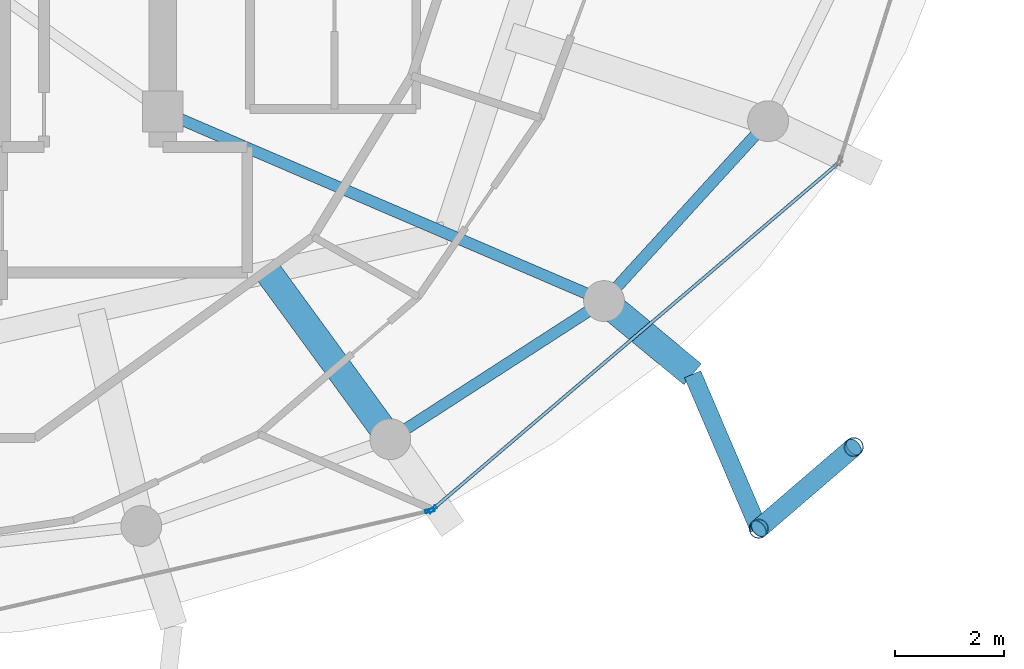
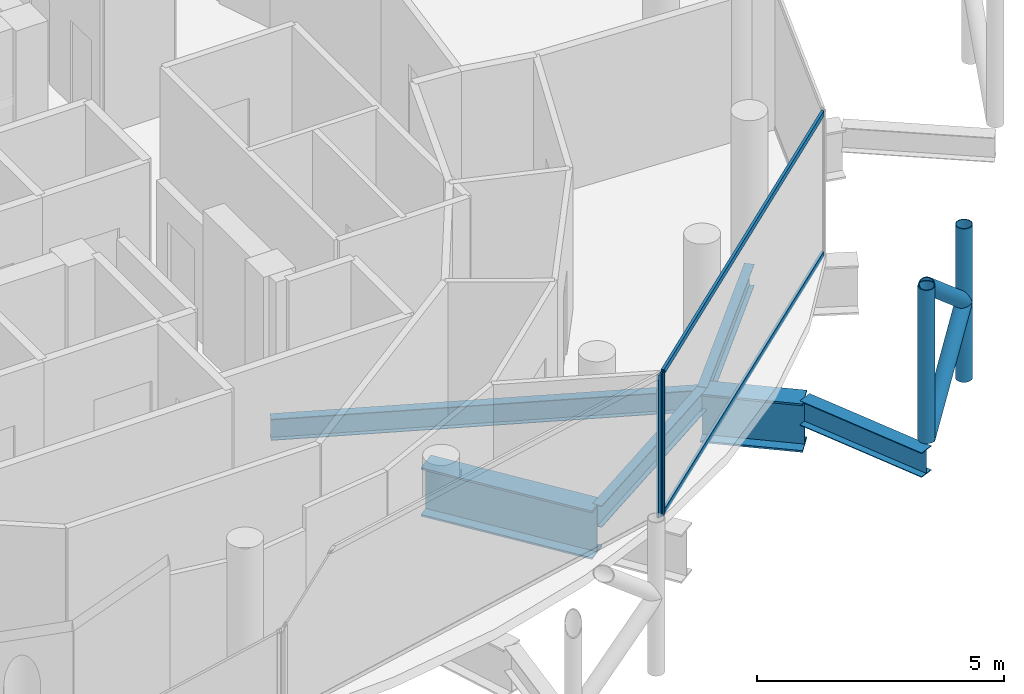
# One storey, part 10 of 25: 8 members, 6 beams, 2 elements without a shape of their own.
"""IFC4 building model written with IfcOpenShell, lengths in metres."""

from ifc_helpers import new_model, si_unit, direction, frame, origin, origin_2d, place, context, subcontext, project, spatial, hollow_rectangle, hollow_circle, i_section, extrude, material, layer, layer_set, material_profile, profile_set, type_object, element, aggregate, save


model = new_model("IFC4")

# Units and contexts
model_context = context("Model", 3, precision=1e-05, world=origin(), true_north=direction((0.0, 1.0)))
body_context = subcontext(model_context, "Body", "Model", "MODEL_VIEW")
ifc_project = project(units=[si_unit("LENGTHUNIT", "METRE"), si_unit("AREAUNIT", "SQUARE_METRE"), si_unit("VOLUMEUNIT", "CUBIC_METRE"), si_unit("PLANEANGLEUNIT", "RADIAN"), si_unit("MASSUNIT", "GRAM", prefix="KILO")], contexts=[model_context])

# Site, building, storey
site_placement = place(None, origin())
site = spatial("IfcSite", under=ifc_project, at=site_placement, CompositionType="ELEMENT")
building_placement = place(site_placement, origin())
building = spatial("IfcBuilding", under=site, at=building_placement, Name="Nuhasar Tower", CompositionType="ELEMENT")
storey_placement = place(building_placement, frame((0.0, 0.0, 255.60009765625)))
storey = spatial("IfcBuildingStorey", under=building, at=storey_placement, Name="L63", CompositionType="ELEMENT", Elevation=255.60009765625)

# Beams
ifc_material_1 = material(Name="Steel S355", Category="steel")
ifc_material_profile_1 = material_profile(ifc_material_1, i_section(OverallWidth=0.208984375, OverallDepth=0.528076171875, WebThickness=0.009521484375, FlangeThickness=0.01318359375, at=origin_2d()), Name="W21X55")
ifc_profile_set_1 = profile_set([ifc_material_profile_1], Name="Steel S355")
beam_type_1 = type_object("IfcBeamType", Name="BM-RAD-W21X55", PredefinedType="BEAM", material=ifc_profile_set_1)
beam_1_placement = place(storey_placement, frame((44.300048828125, 19.0, -0.524169921875), z_axis=(0.91887119061, -0.394557644797, 0.0), x_axis=(0.394557644797, 0.91887119061, 0.0)))
element("IfcBeam", 1, at=beam_1_placement, inside=storey, type_object=beam_type_1, Name="L63 Radial Floor Girder 03", PredefinedType="BEAM", context=body_context, shape_type="SweptSolid", body=[
    extrude(i_section(OverallWidth=0.208984375, OverallDepth=0.528076171875, WebThickness=0.009521484375, FlangeThickness=0.01318359375, at=origin_2d()), origin(), (0.0, 0.0, 1.0), 8.81494140625),
])
ifc_material_profile_2 = material_profile(ifc_material_1, i_section(OverallWidth=0.2099609375, OverallDepth=0.537109375, WebThickness=0.010986328125, FlangeThickness=0.017333984375, at=origin_2d()), Name="W21X68")
ifc_profile_set_2 = profile_set([ifc_material_profile_2], Name="Steel S355")
beam_type_2 = type_object("IfcBeamType", Name="BM-RING-W21X68", PredefinedType="SPANDREL", material=ifc_profile_set_2)
beam_2_placement = place(storey_placement, frame((48.47509765625, 12.987060546875, -0.528076171875), z_axis=(0.840025485934, 0.542546940809, 0.0), x_axis=(-0.542546940809, 0.840025485934, 0.0)))
element("IfcBeam", 2, at=beam_2_placement, inside=storey, type_object=beam_type_2, Name="L63 Perimeter Ring Spandrel 21", PredefinedType="SPANDREL", context=body_context, shape_type="SweptSolid", body=[
    extrude(i_section(OverallWidth=0.2099609375, OverallDepth=0.537109375, WebThickness=0.010986328125, FlangeThickness=0.017333984375, at=origin_2d()), origin(), (0.0, 0.0, 1.0), 4.67236328125),
])
beam_3_placement = place(storey_placement, frame((52.39990234375, 15.52197265625, -0.528076171875), z_axis=(0.673686302939, 0.739017432293, 0.0), x_axis=(-0.739017432293, 0.673686302939, 0.0)))
element("IfcBeam", 3, at=beam_3_placement, inside=storey, type_object=beam_type_2, Name="L63 Perimeter Ring Spandrel 22", PredefinedType="SPANDREL", context=body_context, shape_type="SweptSolid", body=[
    extrude(i_section(OverallWidth=0.2099609375, OverallDepth=0.537109375, WebThickness=0.010986328125, FlangeThickness=0.017333984375, at=origin_2d()), origin(), (0.0, 0.0, 1.0), 4.469482421875),
])
ifc_material_profile_3 = material_profile(ifc_material_1, i_section(OverallWidth=0.323974609375, OverallDepth=0.611083984375, WebThickness=0.0126953125, FlangeThickness=0.01904296875, at=origin_2d()), Name="W24X104")
ifc_profile_set_3 = profile_set([ifc_material_profile_3], Name="Steel S355")
beam_type_3 = type_object("IfcBeamType", Name="BM-TIE-W24X104", PredefinedType="BEAM", material=ifc_profile_set_3)
beam_4_placement = place(storey_placement, frame((54.02587890625, 14.177978515625, -0.565185546875), z_axis=(0.393680429682, -0.919247365667, 0.0), x_axis=(0.919247365667, 0.393680429682, 0.0)))
element("IfcBeam", 4, at=beam_4_placement, inside=storey, type_object=beam_type_3, Name="L63 Exoskeleton Node Tie Beam 11", PredefinedType="BEAM", context=body_context, shape_type="SweptSolid", body=[
    extrude(i_section(OverallWidth=0.323974609375, OverallDepth=0.611083984375, WebThickness=0.0126953125, FlangeThickness=0.01904296875, at=origin_2d()), origin(), (0.0, 0.0, 1.0), 3.083984375),
])
ifc_material_2 = material(Name="Steel S460", Category="steel")
ifc_material_profile_4 = material_profile(ifc_material_2, i_section(OverallWidth=0.5, OverallDepth=1.199951171875, WebThickness=0.02587890625, FlangeThickness=0.044921875, at=origin_2d()), Name="PG1200X500")
ifc_profile_set_4 = profile_set([ifc_material_profile_4], Name="Steel S460")
beam_type_4 = type_object("IfcBeamType", Name="BM-XFER-PG1200", PredefinedType="USERDEFINED", material=ifc_profile_set_4)
beam_5_placement = place(storey_placement, frame((52.39990234375, 15.52197265625, -0.860107421875), z_axis=(0.770776417447, -0.637105732439, 0.0), x_axis=(0.637105732439, 0.770776417447, 0.0)))
element("IfcBeam", 5, at=beam_5_placement, inside=storey, type_object=beam_type_4, Name="L63 Radial Step Transfer Girder 03", ObjectType="GIRDER", PredefinedType="USERDEFINED", context=body_context, shape_type="SweptSolid", body=[
    extrude(i_section(OverallWidth=0.5, OverallDepth=1.199951171875, WebThickness=0.02587890625, FlangeThickness=0.044921875, at=origin_2d()), origin(), (0.0, 0.0, 1.0), 2.109619140625),
])
beam_6_placement = place(storey_placement, frame((46.235107421875, 16.052978515625, -0.860107421875), z_axis=(0.589932757145, -0.807452377572, 0.0), x_axis=(0.807452377572, 0.589932757145, 0.0)))
element("IfcBeam", 6, at=beam_6_placement, inside=storey, type_object=beam_type_4, Name="L63 Inner Column Transfer Girder 21", ObjectType="GIRDER", PredefinedType="USERDEFINED", context=body_context, shape_type="SweptSolid", body=[
    extrude(i_section(OverallWidth=0.5, OverallDepth=1.199951171875, WebThickness=0.02587890625, FlangeThickness=0.044921875, at=origin_2d()), origin(), (0.0, 0.0, 1.0), 3.797119140625),
])

# Curtain wall, member
ifc_material_3 = material(Name="Aluminium 6063-T6", Category="aluminium")
ifc_layer = layer(ifc_material_3, 0.18994140625)
ifc_layer_set = layer_set([ifc_layer], Name="Aluminium 6063-T6")
curtain_wall_type = type_object("IfcCurtainWallType", Name="CW-Z4-PEN", PredefinedType="NOTDEFINED", material=ifc_layer_set)
curtain_wall_1_placement = place(storey_placement, origin())
curtain_wall_1 = element("IfcCurtainWall", 7, at=curtain_wall_1_placement, inside=storey, type_object=curtain_wall_type, Name="L63 Unitised Curtain Wall 10", PredefinedType="NOTDEFINED")
ifc_material_profile_5 = material_profile(ifc_material_3, hollow_rectangle(XDim=0.06005859375, YDim=0.1650390625, WallThickness=0.0048828125, at=origin_2d()), Name="CWM-5")
ifc_profile_set_5 = profile_set([ifc_material_profile_5], Name="Aluminium 6063-T6")
member_type_1 = type_object("IfcMemberType", Name="CW-MUL-S5", PredefinedType="MULLION", material=ifc_profile_set_5)
member_1_placement = place(storey_placement, frame((49.20068359375, 11.67236328125, 0.0), z_axis=(0.0, 0.0, 1.0), x_axis=(-0.222889487645, 0.97484371891, 0.0)))
member_1 = element("IfcMember", 8, at=member_1_placement, type_object=member_type_1, Name="CW-Z4 mullion 2", PredefinedType="MULLION", context=body_context, shape_type="SweptSolid", body=[
    extrude(hollow_rectangle(XDim=0.06005859375, YDim=0.1650390625, WallThickness=0.0048828125, at=origin_2d()), origin(), (0.0, 0.0, 1.0), 3.539794921875),
])
aggregate(curtain_wall_1, [member_1])

# Curtain wall, members
curtain_wall_2_placement = place(storey_placement, origin())
curtain_wall_2 = element("IfcCurtainWall", 9, at=curtain_wall_2_placement, inside=storey, type_object=curtain_wall_type, Name="L63 Unitised Curtain Wall 11", PredefinedType="NOTDEFINED")
member_2_placement = place(storey_placement, frame((49.2529296875, 11.698486328125, 0.0), z_axis=(0.0, 0.0, 1.0), x_axis=(-0.649141996205, 0.760667252327, 0.0)))
member_2 = element("IfcMember", 10, at=member_2_placement, type_object=member_type_1, Name="CW-Z4 mullion 1", PredefinedType="MULLION", context=body_context, shape_type="SweptSolid", body=[
    extrude(hollow_rectangle(XDim=0.06005859375, YDim=0.1650390625, WallThickness=0.0048828125, at=origin_2d()), origin(), (0.0, 0.0, 1.0), 3.539794921875),
])
ifc_material_profile_6 = material_profile(ifc_material_3, hollow_rectangle(XDim=0.06005859375, YDim=0.135009765625, WallThickness=0.00439453125, at=origin_2d()), Name="CWT-5")
ifc_profile_set_6 = profile_set([ifc_material_profile_6], Name="Aluminium 6063-T6")
member_type_2 = type_object("IfcMemberType", Name="CW-TRN-S5", PredefinedType="USERDEFINED", material=ifc_profile_set_6)
member_3_placement = place(storey_placement, frame((49.275634765625, 11.718017578125, 0.02978515625), z_axis=(0.760672431431, 0.649135927261, 0.0), x_axis=(-0.649135927261, 0.760672431431, 0.0)))
member_3 = element("IfcMember", 11, at=member_3_placement, type_object=member_type_2, Name="CW-Z4 transom 1.1", ObjectType="TRANSOM", PredefinedType="USERDEFINED", context=body_context, shape_type="SweptSolid", body=[
    extrude(hollow_rectangle(XDim=0.06005859375, YDim=0.135009765625, WallThickness=0.00439453125, at=origin_2d()), origin(), (0.0, 0.0, 1.0), 9.72509765625),
])
member_4_placement = place(storey_placement, frame((49.275634765625, 11.718017578125, 3.510009765625), z_axis=(0.760672431431, 0.649135927261, 0.0), x_axis=(-0.649135927261, 0.760672431431, 0.0)))
member_4 = element("IfcMember", 12, at=member_4_placement, type_object=member_type_2, Name="CW-Z4 transom 1.2", ObjectType="TRANSOM", PredefinedType="USERDEFINED", context=body_context, shape_type="SweptSolid", body=[
    extrude(hollow_rectangle(XDim=0.06005859375, YDim=0.135009765625, WallThickness=0.00439453125, at=origin_2d()), origin(), (0.0, 0.0, 1.0), 9.72509765625),
])
aggregate(curtain_wall_2, [member_2, member_3, member_4])

# Members
ifc_material_profile_7 = material_profile(ifc_material_2, hollow_circle(Radius=0.177734375, WallThickness=0.015869140625, at=origin_2d()), Name="HSS355.6X15.9")
ifc_profile_set_7 = profile_set([ifc_material_profile_7], Name="Steel S460")
member_type_3 = type_object("IfcMemberType", Name="EXO-BRONZE-356", PredefinedType="BRACE", material=ifc_profile_set_7)
for number, where, z_axis, x_axis, name in (
    (13, (55.239990234375, 11.343017578125, 0.0), (0.0, 0.0, 1.0), (1.0, 0.0, 0.0), "L63 Exoskeleton Chord Column EC-11A"),
    (14, (56.98388671875, 12.842041015625, 0.0), (0.0, 0.0, 1.0), (1.0, 0.0, 0.0), "L63 Exoskeleton Chord Column EC-11B"),
):
    element("IfcMember", number, at=place(storey_placement, frame(where, z_axis=z_axis, x_axis=x_axis)), inside=storey, type_object=member_type_3, Name=name, PredefinedType="BRACE", context=body_context, shape_type="SweptSolid", body=[
        extrude(hollow_circle(Radius=0.177734375, WallThickness=0.015869140625, at=origin_2d()), origin(), (0.0, 0.0, 1.0), 3.7998046875),
    ])
for number, where, z_axis, x_axis, name in (
    (15, (55.239990234375, 11.343017578125, 0.0), (0.584625223306, 0.502533791278, 0.636924749792), (-0.65185738425, 0.758341579104, 0.0), "L63 Bronze Diagrid Brace W1-11"),
    (16, (56.98388671875, 12.842041015625, 1.89990234375), (-0.584625223306, -0.502533791278, 0.636924749792), (0.65185738425, -0.758341579104, 0.0), "L63 Bronze Diagrid Brace W2-11"),
):
    element("IfcMember", number, at=place(storey_placement, frame(where, z_axis=z_axis, x_axis=x_axis)), inside=storey, type_object=member_type_3, Name=name, PredefinedType="BRACE", context=body_context, shape_type="SweptSolid", body=[
        extrude(hollow_circle(Radius=0.177734375, WallThickness=0.015869140625, at=origin_2d()), origin(), (0.0, 0.0, 1.0), 2.98291015625),
    ])

save(model, "model.ifc")
